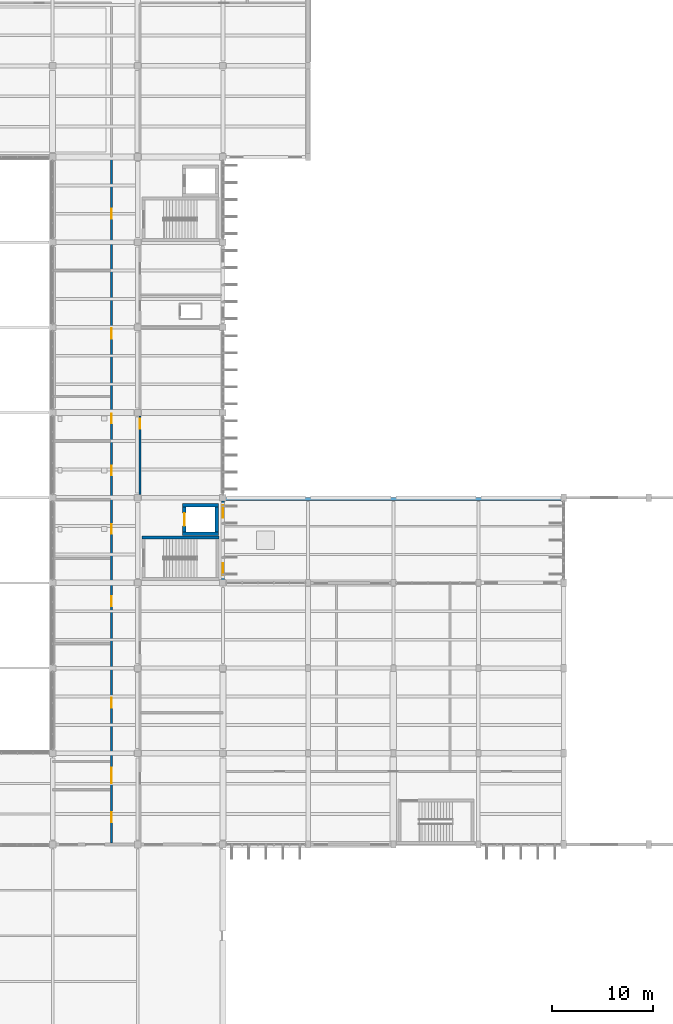
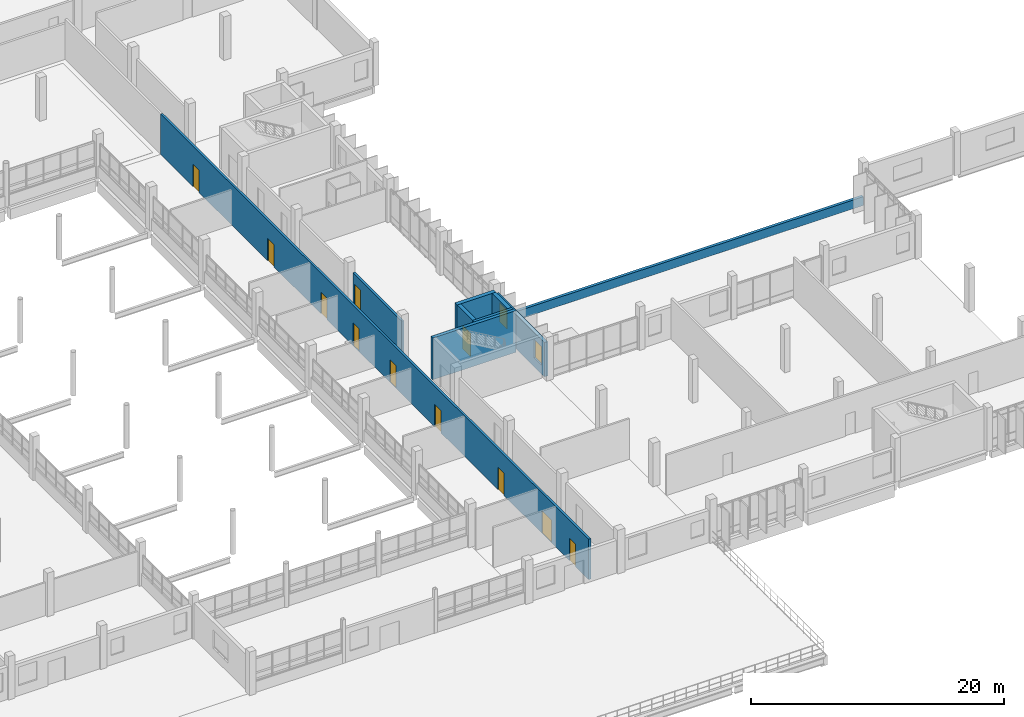
# One storey, part 87 of 101: 11 doors, 9 walls, 2 windows, 13 openings.
"""IFC4 building model written with IfcOpenShell, lengths in metres."""

from ifc_helpers import new_model, si_unit, direction, frame, frame_2d, origin, place, context, subcontext, project, spatial, rectangle, extrude, material, layer, layer_set, type_object, element, fill, save


model = new_model("IFC4")

# Units and contexts
model_context = context("Model", 3, precision=1e-05, world=origin(), true_north=direction((0.0, 1.0)))
body_context = subcontext(model_context, "Body", "Model", "MODEL_VIEW")
ifc_project = project(units=[si_unit("LENGTHUNIT", "METRE"), si_unit("AREAUNIT", "SQUARE_METRE"), si_unit("VOLUMEUNIT", "CUBIC_METRE"), si_unit("PLANEANGLEUNIT", "RADIAN"), si_unit("MASSUNIT", "GRAM", prefix="KILO")], contexts=[model_context])

# Site, building, storey
site_placement = place(None, origin())
site = spatial("IfcSite", under=ifc_project, at=site_placement, CompositionType="ELEMENT")
building_placement = place(site_placement, origin())
building = spatial("IfcBuilding", under=site, at=building_placement, Name="Vireocrest Preparatory School", CompositionType="ELEMENT")
storey_placement = place(building_placement, frame((0.0, 0.0, 4.800048828125)))
storey = spatial("IfcBuildingStorey", under=building, at=storey_placement, Name="L01", CompositionType="ELEMENT", Elevation=4.800048828125)

# Wall, openings, doors
ifc_material_1 = material(Name="Gypsum board on cold-formed steel studs", Category="steel")
ifc_layer_1 = layer(ifc_material_1, 0.199951171875)
ifc_layer_set_1 = layer_set([ifc_layer_1], Name="Gypsum board on cold-formed steel studs")
wall_type_1 = type_object("IfcWallType", Name="Corridor One-Hour Fire Partition 200", PredefinedType="PARTITIONING", material=ifc_layer_set_1)
wall_1_placement = place(storey_placement, frame((98.199951171875, 18.1650390625, 0.0), z_axis=(0.0, 0.0, 1.0), x_axis=(0.0, 1.0, 0.0)))
wall_1 = element("IfcWall", 1, at=wall_1_placement, inside=storey, type_object=wall_type_1, Name="Interior Partition W06 IW_L01_0175", PredefinedType="PARTITIONING", context=body_context, shape_type="SweptSolid", body=[
    extrude(rectangle(XDim=67.625, YDim=0.199951171875, at=frame_2d((33.8125, 0.0))), origin(), (0.0, 0.0, 1.0), 3.89990234375),
])
opening_1_placement = place(wall_1_placement, frame((2.034912109375, 0.0, 0.0)))
opening_1 = element("IfcOpeningElement", 2, at=opening_1_placement, cuts=wall_1, Name="Opening D-L01-E1W01", PredefinedType="OPENING", context=body_context, shape_type="SweptSolid", body=[
    extrude(rectangle(XDim=1.0, YDim=2.14990234375, at=frame_2d((0.5, 1.074951171875))), frame((0.0, 0.10986328125, 0.0), z_axis=(0.0, -1.0, 0.0), x_axis=(1.0, 0.0, 0.0)), (0.0, 0.0, 1.0), 0.219970703125),
])
opening_2_placement = place(wall_1_placement, frame((5.885009765625, 0.0, 0.0)))
opening_2 = element("IfcOpeningElement", 3, at=opening_2_placement, cuts=wall_1, Name="Opening D-L01-E1W02", PredefinedType="OPENING", context=body_context, shape_type="SweptSolid", body=[
    extrude(rectangle(XDim=1.5, YDim=2.199951171875, at=frame_2d((0.75, 1.10009765625))), frame((0.0, 0.10986328125, 0.0), z_axis=(0.0, -1.0, 0.0), x_axis=(1.0, 0.0, 0.0)), (0.0, 0.0, 1.0), 0.219970703125),
])
opening_3_placement = place(wall_1_placement, frame((13.3349609375, 0.0, 0.0)))
opening_3 = element("IfcOpeningElement", 4, at=opening_3_placement, cuts=wall_1, Name="Opening D-L01-E1W03", PredefinedType="OPENING", context=body_context, shape_type="SweptSolid", body=[
    extrude(rectangle(XDim=1.0, YDim=2.14990234375, at=frame_2d((0.5, 1.074951171875))), frame((0.0, 0.10986328125, 0.0), z_axis=(0.0, -1.0, 0.0), x_axis=(1.0, 0.0, 0.0)), (0.0, 0.0, 1.0), 0.219970703125),
])
opening_4_placement = place(wall_1_placement, frame((23.3349609375, 0.0, 0.0)))
opening_4 = element("IfcOpeningElement", 5, at=opening_4_placement, cuts=wall_1, Name="Opening D-L01-E1W04", PredefinedType="OPENING", context=body_context, shape_type="SweptSolid", body=[
    extrude(rectangle(XDim=1.0, YDim=2.14990234375, at=frame_2d((0.5, 1.074951171875))), frame((0.0, 0.10986328125, 0.0), z_axis=(0.0, -1.0, 0.0), x_axis=(1.0, 0.0, 0.0)), (0.0, 0.0, 1.0), 0.219970703125),
])
opening_5_placement = place(wall_1_placement, frame((30.4599609375, 0.0, 0.0)))
opening_5 = element("IfcOpeningElement", 6, at=opening_5_placement, cuts=wall_1, Name="Opening D-L01-E1W05", PredefinedType="OPENING", context=body_context, shape_type="SweptSolid", body=[
    extrude(rectangle(XDim=0.949951171875, YDim=2.199951171875, at=frame_2d((0.47509765625, 1.10009765625))), frame((0.0, 0.10986328125, 0.0), z_axis=(0.0, -1.0, 0.0), x_axis=(1.0, 0.0, 0.0)), (0.0, 0.0, 1.0), 0.219970703125),
])
opening_6_placement = place(wall_1_placement, frame((36.260009765625, 0.0, 0.0)))
opening_6 = element("IfcOpeningElement", 7, at=opening_6_placement, cuts=wall_1, Name="Opening D-L01-E1W06", PredefinedType="OPENING", context=body_context, shape_type="SweptSolid", body=[
    extrude(rectangle(XDim=0.949951171875, YDim=2.199951171875, at=frame_2d((0.47509765625, 1.10009765625))), frame((0.0, 0.10986328125, 0.0), z_axis=(0.0, -1.0, 0.0), x_axis=(1.0, 0.0, 0.0)), (0.0, 0.0, 1.0), 0.219970703125),
])
opening_7_placement = place(wall_1_placement, frame((41.360107421875, 0.0, 0.0)))
opening_7 = element("IfcOpeningElement", 8, at=opening_7_placement, cuts=wall_1, Name="Opening D-L01-E1W07", PredefinedType="OPENING", context=body_context, shape_type="SweptSolid", body=[
    extrude(rectangle(XDim=0.949951171875, YDim=2.10009765625, at=frame_2d((0.47509765625, 1.050048828125))), frame((0.0, 0.10986328125, 0.0), z_axis=(0.0, -1.0, 0.0), x_axis=(1.0, 0.0, 0.0)), (0.0, 0.0, 1.0), 0.219970703125),
])
opening_8_placement = place(wall_1_placement, frame((49.735107421875, 0.0, 0.0)))
opening_8 = element("IfcOpeningElement", 9, at=opening_8_placement, cuts=wall_1, Name="Opening D-L01-E1W08", PredefinedType="OPENING", context=body_context, shape_type="SweptSolid", body=[
    extrude(rectangle(XDim=1.0, YDim=2.14990234375, at=frame_2d((0.5, 1.074951171875))), frame((0.0, 0.10986328125, 0.0), z_axis=(0.0, -1.0, 0.0), x_axis=(1.0, 0.0, 0.0)), (0.0, 0.0, 1.0), 0.219970703125),
])
opening_9_placement = place(wall_1_placement, frame((61.534912109375, 0.0, 0.0)))
opening_9 = element("IfcOpeningElement", 10, at=opening_9_placement, cuts=wall_1, Name="Opening D-L01-E1W09", PredefinedType="OPENING", context=body_context, shape_type="SweptSolid", body=[
    extrude(rectangle(XDim=1.0, YDim=2.14990234375, at=frame_2d((0.5, 1.074951171875))), frame((0.0, 0.10986328125, 0.0), z_axis=(0.0, -1.0, 0.0), x_axis=(1.0, 0.0, 0.0)), (0.0, 0.0, 1.0), 0.219970703125),
])
ifc_material_2 = material(Name="Solid-core architectural birch timber", Category="wood")
door_type_1 = type_object("IfcDoorType", Name="Accessible WC Timber Door 950x2100", OperationType="NOTDEFINED", PredefinedType="DOOR", material=ifc_material_2)
door_1_placement = place(opening_7_placement, origin())
door_1 = element("IfcDoor", 11, at=door_1_placement, inside=storey, type_object=door_type_1, Name="Interior Door D-L01-E1W07", OperationType="SINGLE_SWING_LEFT", OverallHeight=2.10009765625, OverallWidth=0.949951171875, PredefinedType="DOOR", context=body_context, shape_type="SweptSolid", body=[
    extrude(rectangle(XDim=0.949951171875, YDim=2.10009765625, at=frame_2d((0.47509765625, 1.050048828125))), frame((0.0, 0.02490234375, 0.0), z_axis=(0.0, -1.0, 0.0), x_axis=(1.0, 0.0, 0.0)), (0.0, 0.0, 1.0), 0.050048828125),
])
fill(opening_7, door_1)
door_type_2 = type_object("IfcDoorType", Name="Classroom Acoustic Timber Door 1000x2150", OperationType="NOTDEFINED", PredefinedType="DOOR", material=ifc_material_2)
door_2_placement = place(opening_1_placement, origin())
door_2 = element("IfcDoor", 12, at=door_2_placement, inside=storey, type_object=door_type_2, Name="Interior Door D-L01-E1W01", OperationType="SINGLE_SWING_RIGHT", OverallHeight=2.14990234375, OverallWidth=1.0, PredefinedType="DOOR", context=body_context, shape_type="SweptSolid", body=[
    extrude(rectangle(XDim=1.0, YDim=2.14990234375, at=frame_2d((0.5, 1.074951171875))), frame((0.0, 0.02490234375, 0.0), z_axis=(0.0, -1.0, 0.0), x_axis=(1.0, 0.0, 0.0)), (0.0, 0.0, 1.0), 0.050048828125),
])
fill(opening_1, door_2)
door_3_placement = place(opening_3_placement, origin())
door_3 = element("IfcDoor", 13, at=door_3_placement, inside=storey, type_object=door_type_2, Name="Interior Door D-L01-E1W03", OperationType="SINGLE_SWING_LEFT", OverallHeight=2.14990234375, OverallWidth=1.0, PredefinedType="DOOR", context=body_context, shape_type="SweptSolid", body=[
    extrude(rectangle(XDim=1.0, YDim=2.14990234375, at=frame_2d((0.5, 1.074951171875))), frame((0.0, 0.02490234375, 0.0), z_axis=(0.0, -1.0, 0.0), x_axis=(1.0, 0.0, 0.0)), (0.0, 0.0, 1.0), 0.050048828125),
])
fill(opening_3, door_3)
door_4_placement = place(opening_4_placement, origin())
door_4 = element("IfcDoor", 14, at=door_4_placement, inside=storey, type_object=door_type_2, Name="Interior Door D-L01-E1W04", OperationType="SINGLE_SWING_RIGHT", OverallHeight=2.14990234375, OverallWidth=1.0, PredefinedType="DOOR", context=body_context, shape_type="SweptSolid", body=[
    extrude(rectangle(XDim=1.0, YDim=2.14990234375, at=frame_2d((0.5, 1.074951171875))), frame((0.0, 0.02490234375, 0.0), z_axis=(0.0, -1.0, 0.0), x_axis=(1.0, 0.0, 0.0)), (0.0, 0.0, 1.0), 0.050048828125),
])
fill(opening_4, door_4)
door_5_placement = place(opening_8_placement, origin())
door_5 = element("IfcDoor", 15, at=door_5_placement, inside=storey, type_object=door_type_2, Name="Interior Door D-L01-E1W08", OperationType="SINGLE_SWING_RIGHT", OverallHeight=2.14990234375, OverallWidth=1.0, PredefinedType="DOOR", context=body_context, shape_type="SweptSolid", body=[
    extrude(rectangle(XDim=1.0, YDim=2.14990234375, at=frame_2d((0.5, 1.074951171875))), frame((0.0, 0.02490234375, 0.0), z_axis=(0.0, -1.0, 0.0), x_axis=(1.0, 0.0, 0.0)), (0.0, 0.0, 1.0), 0.050048828125),
])
fill(opening_8, door_5)
door_6_placement = place(opening_9_placement, origin())
door_6 = element("IfcDoor", 16, at=door_6_placement, inside=storey, type_object=door_type_2, Name="Interior Door D-L01-E1W09", OperationType="SINGLE_SWING_LEFT", OverallHeight=2.14990234375, OverallWidth=1.0, PredefinedType="DOOR", context=body_context, shape_type="SweptSolid", body=[
    extrude(rectangle(XDim=1.0, YDim=2.14990234375, at=frame_2d((0.5, 1.074951171875))), frame((0.0, 0.02490234375, 0.0), z_axis=(0.0, -1.0, 0.0), x_axis=(1.0, 0.0, 0.0)), (0.0, 0.0, 1.0), 0.050048828125),
])
fill(opening_9, door_6)
ifc_material_3 = material(Name="Painted galvanized hollow steel", Category="steel")
door_type_3 = type_object("IfcDoorType", Name="Stair Enclosure Fire Door 1500x2200", OperationType="DOUBLE_DOOR_SINGLE_SWING", PredefinedType="DOOR", material=ifc_material_3)
door_7_placement = place(opening_2_placement, origin())
door_7 = element("IfcDoor", 17, at=door_7_placement, inside=storey, type_object=door_type_3, Name="Interior Door D-L01-E1W02", OperationType="DOUBLE_DOOR_SINGLE_SWING", OverallHeight=2.199951171875, OverallWidth=1.5, PredefinedType="DOOR", context=body_context, shape_type="SweptSolid", body=[
    extrude(rectangle(XDim=1.5, YDim=2.199951171875, at=frame_2d((0.75, 1.10009765625))), frame((0.0, 0.02490234375, 0.0), z_axis=(0.0, -1.0, 0.0), x_axis=(1.0, 0.0, 0.0)), (0.0, 0.0, 1.0), 0.050048828125),
])
fill(opening_2, door_7)
door_type_4 = type_object("IfcDoorType", Name="Student Washroom Door 950x2200", OperationType="NOTDEFINED", PredefinedType="DOOR", material=ifc_material_2)
door_8_placement = place(opening_5_placement, origin())
door_8 = element("IfcDoor", 18, at=door_8_placement, inside=storey, type_object=door_type_4, Name="Interior Door D-L01-E1W05", OperationType="SINGLE_SWING_LEFT", OverallHeight=2.199951171875, OverallWidth=0.949951171875, PredefinedType="DOOR", context=body_context, shape_type="SweptSolid", body=[
    extrude(rectangle(XDim=0.949951171875, YDim=2.199951171875, at=frame_2d((0.47509765625, 1.10009765625))), frame((0.0, 0.02490234375, 0.0), z_axis=(0.0, -1.0, 0.0), x_axis=(1.0, 0.0, 0.0)), (0.0, 0.0, 1.0), 0.050048828125),
])
fill(opening_5, door_8)
door_9_placement = place(opening_6_placement, origin())
door_9 = element("IfcDoor", 19, at=door_9_placement, inside=storey, type_object=door_type_4, Name="Interior Door D-L01-E1W06", OperationType="SINGLE_SWING_RIGHT", OverallHeight=2.199951171875, OverallWidth=0.949951171875, PredefinedType="DOOR", context=body_context, shape_type="SweptSolid", body=[
    extrude(rectangle(XDim=0.949951171875, YDim=2.199951171875, at=frame_2d((0.47509765625, 1.10009765625))), frame((0.0, 0.02490234375, 0.0), z_axis=(0.0, -1.0, 0.0), x_axis=(1.0, 0.0, 0.0)), (0.0, 0.0, 1.0), 0.050048828125),
])
fill(opening_6, door_9)

# Wall, opening, door
wall_2_placement = place(storey_placement, frame((101.0, 52.534912109375, 0.0), z_axis=(0.0, 0.0, 1.0), x_axis=(0.0, 1.0, 0.0)))
wall_2 = element("IfcWall", 20, at=wall_2_placement, inside=storey, type_object=wall_type_1, Name="Interior Partition W06 IW_L01_0182", PredefinedType="PARTITIONING", context=body_context, shape_type="SweptSolid", body=[
    extrude(rectangle(XDim=7.72998046875, YDim=0.199951171875, at=frame_2d((3.864990234375, 0.0))), origin(), (0.0, 0.0, 1.0), 3.099853515625),
])
opening_10_placement = place(wall_2_placement, frame((6.47998046875, 0.0, 0.0)))
opening_10 = element("IfcOpeningElement", 21, at=opening_10_placement, cuts=wall_2, Name="Opening D-L01-E1EN01", PredefinedType="OPENING", context=body_context, shape_type="SweptSolid", body=[
    extrude(rectangle(XDim=1.0, YDim=2.14990234375, at=frame_2d((0.5, 1.074951171875))), frame((0.0, 0.10986328125, 0.0), z_axis=(0.0, -1.0, 0.0), x_axis=(1.0, 0.0, 0.0)), (0.0, 0.0, 1.0), 0.219970703125),
])
door_10_placement = place(opening_10_placement, origin())
door_10 = element("IfcDoor", 22, at=door_10_placement, inside=storey, type_object=door_type_2, Name="Interior Door D-L01-E1EN01", OperationType="SINGLE_SWING_RIGHT", OverallHeight=2.14990234375, OverallWidth=1.0, PredefinedType="DOOR", context=body_context, shape_type="SweptSolid", body=[
    extrude(rectangle(XDim=1.0, YDim=2.14990234375, at=frame_2d((0.5, 1.074951171875))), frame((0.0, 0.02490234375, 0.0), z_axis=(0.0, -1.0, 0.0), x_axis=(1.0, 0.0, 0.0)), (0.0, 0.0, 1.0), 0.050048828125),
])
fill(opening_10, door_10)

# Wall, openings, windows
ifc_material_4 = material(Name="Precast white concrete 40 MPa", Category="concrete")
ifc_layer_2 = layer(ifc_material_4, 0.320068359375)
ifc_layer_set_2 = layer_set([ifc_layer_2], Name="Precast white concrete 40 MPa")
wall_type_2 = type_object("IfcWallType", Name="High-Tech Insulated Rainscreen External Wall 320", PredefinedType="SOLIDWALL", material=ifc_layer_set_2)
wall_3_placement = place(storey_placement, frame((109.199951171875, 44.10009765625, 0.0), z_axis=(0.0, 0.0, 1.0), x_axis=(0.0, 1.0, 0.0)))
wall_3 = element("IfcWall", 23, at=wall_3_placement, inside=storey, type_object=wall_type_2, Name="External Wall W12 EW_L01_0156", PredefinedType="SOLIDWALL", context=body_context, shape_type="SweptSolid", body=[
    extrude(rectangle(XDim=7.7998046875, YDim=0.320068359375, at=frame_2d((3.89990234375, 0.0))), origin(), (0.0, 0.0, 1.0), 3.300048828125),
])
opening_11_placement = place(wall_3_placement, frame((0.449951171875, 0.0, 0.85009765625)))
opening_11 = element("IfcOpeningElement", 24, at=opening_11_placement, cuts=wall_3, Name="Opening WN02", PredefinedType="OPENING", context=body_context, shape_type="SweptSolid", body=[
    extrude(rectangle(XDim=1.199951171875, YDim=1.800048828125, at=frame_2d((0.60009765625, 0.89990234375))), frame((0.0, 0.169921875, 0.0), z_axis=(0.0, -1.0, 0.0), x_axis=(1.0, 0.0, 0.0)), (0.0, 0.0, 1.0), 0.340087890625),
])
opening_12_placement = place(wall_3_placement, frame((6.14990234375, 0.0, 0.85009765625)))
opening_12 = element("IfcOpeningElement", 25, at=opening_12_placement, cuts=wall_3, Name="Opening WN02", PredefinedType="OPENING", context=body_context, shape_type="SweptSolid", body=[
    extrude(rectangle(XDim=1.199951171875, YDim=1.800048828125, at=frame_2d((0.60009765625, 0.89990234375))), frame((0.0, 0.169921875, 0.0), z_axis=(0.0, -1.0, 0.0), x_axis=(1.0, 0.0, 0.0)), (0.0, 0.0, 1.0), 0.340087890625),
])
ifc_material_5 = material(Name="Thermally broken aluminium EN AW-6063-T6", Category="aluminium")
window_type = type_object("IfcWindowType", Name="Counseling Window 1200x1800", PartitioningType="SINGLE_PANEL", PredefinedType="WINDOW", material=ifc_material_5)
window_1_placement = place(opening_11_placement, origin())
window_1 = element("IfcWindow", 26, at=window_1_placement, inside=storey, type_object=window_type, Name="Window W-L01-056 (WN02)", OverallHeight=1.800048828125, OverallWidth=1.199951171875, PartitioningType="SINGLE_PANEL", PredefinedType="WINDOW", context=body_context, shape_type="SweptSolid", body=[
    extrude(rectangle(XDim=1.199951171875, YDim=1.800048828125, at=frame_2d((0.60009765625, 0.89990234375))), frame((0.0, 0.030029296875, 0.0), z_axis=(0.0, -1.0, 0.0), x_axis=(1.0, 0.0, 0.0)), (0.0, 0.0, 1.0), 0.06005859375),
])
fill(opening_11, window_1)
window_2_placement = place(opening_12_placement, origin())
window_2 = element("IfcWindow", 27, at=window_2_placement, inside=storey, type_object=window_type, Name="Window W-L01-057 (WN02)", OverallHeight=1.800048828125, OverallWidth=1.199951171875, PartitioningType="SINGLE_PANEL", PredefinedType="WINDOW", context=body_context, shape_type="SweptSolid", body=[
    extrude(rectangle(XDim=1.199951171875, YDim=1.800048828125, at=frame_2d((0.60009765625, 0.89990234375))), frame((0.0, 0.030029296875, 0.0), z_axis=(0.0, -1.0, 0.0), x_axis=(1.0, 0.0, 0.0)), (0.0, 0.0, 1.0), 0.06005859375),
])
fill(opening_12, window_2)

# Walls
ifc_layer_3 = layer(ifc_material_4, 0.260009765625)
ifc_layer_set_3 = layer_set([ifc_layer_3], Name="Precast white concrete 40 MPa")
wall_type_3 = type_object("IfcWallType", Name="Insulated Roof Parapet Wall 260", PredefinedType="PARAPET", material=ifc_layer_set_3)
wall_4_placement = place(storey_placement, frame((109.330078125, 52.070068359375, 0.0), z_axis=(0.0, 0.0, 1.0), x_axis=(1.0, 0.0, 0.0)))
element("IfcWall", 28, at=wall_4_placement, inside=storey, type_object=wall_type_3, Name="Roof Parapet W09 L01_EAST_LINK_ROOF_N-1", PredefinedType="PARAPET", context=body_context, shape_type="SweptSolid", body=[
    extrude(rectangle(XDim=33.33984375, YDim=0.260009765625, at=frame_2d((16.669921875, 0.0))), origin(), (0.0, 0.0, 1.0), 0.849853515625),
])
ifc_material_6 = material(Name="Concrete 45 MPa", Category="concrete")
ifc_layer_4 = layer(ifc_material_6, 0.35009765625)
ifc_layer_set_4 = layer_set([ifc_layer_4], Name="Concrete 45 MPa")
wall_type_4 = type_object("IfcWallType", Name="Two-Hour RC Lift Core Shear Wall 350", PredefinedType="SHEAR", material=ifc_layer_set_4)
for number, where, z_axis, x_axis, name in (
    (29, (105.22509765625, 48.64990234375, 0.0), (0.0, 0.0, 1.0), (1.0, 0.0, 0.0), "Lift Core Shear Wall LF2 L01-S"),
    (30, (105.22509765625, 51.449951171875, 0.0), (0.0, 0.0, 1.0), (1.0, 0.0, 0.0), "Lift Core Shear Wall LF2 L01-N"),
):
    element("IfcWall", number, at=place(storey_placement, frame(where, z_axis=z_axis, x_axis=x_axis)), inside=storey, type_object=wall_type_4, Name=name, PredefinedType="SHEAR", context=body_context, shape_type="SweptSolid", body=[
        extrude(rectangle(XDim=3.5498046875, YDim=0.35009765625, at=frame_2d((1.77490234375, 0.0))), origin(), (0.0, 0.0, 1.0), 3.919921875),
    ])

# Wall, opening, door
wall_5_placement = place(storey_placement, frame((105.39990234375, 48.824951171875, 0.0), z_axis=(0.0, 0.0, 1.0), x_axis=(0.0, 1.0, 0.0)))
wall_5 = element("IfcWall", 31, at=wall_5_placement, inside=storey, type_object=wall_type_4, Name="Lift Core Shear Wall LF2 L01-W", PredefinedType="SHEAR", context=body_context, shape_type="SweptSolid", body=[
    extrude(rectangle(XDim=2.449951171875, YDim=0.35009765625, at=frame_2d((1.22509765625, 0.0))), origin(), (0.0, 0.0, 1.0), 3.919921875),
])
opening_13_placement = place(wall_5_placement, frame((0.60009765625, 0.0, 0.0)))
opening_13 = element("IfcOpeningElement", 32, at=opening_13_placement, cuts=wall_5, Name="Opening LD-LF2-L01", PredefinedType="OPENING", context=body_context, shape_type="SweptSolid", body=[
    extrude(rectangle(XDim=1.25, YDim=2.25, at=frame_2d((0.625, 1.125))), frame((0.0, 0.18505859375, 0.0), z_axis=(0.0, -1.0, 0.0), x_axis=(1.0, 0.0, 0.0)), (0.0, 0.0, 1.0), 0.3701171875),
])
door_type_5 = type_object("IfcDoorType", Name="Stretcher Lift Landing Sliding Door 1250x2250", OperationType="DOUBLE_DOOR_SLIDING", PredefinedType="DOOR", material=ifc_material_3)
door_11_placement = place(opening_13_placement, origin())
door_11 = element("IfcDoor", 33, at=door_11_placement, inside=storey, type_object=door_type_5, Name="Lift Landing Door LD-LF2-L01", OperationType="DOUBLE_DOOR_SLIDING", OverallHeight=2.25, OverallWidth=1.25, PredefinedType="DOOR", context=body_context, shape_type="SweptSolid", body=[
    extrude(rectangle(XDim=1.25, YDim=2.25, at=frame_2d((0.625, 1.125))), frame((0.0, 0.02490234375, 0.0), z_axis=(0.0, -1.0, 0.0), x_axis=(1.0, 0.0, 0.0)), (0.0, 0.0, 1.0), 0.050048828125),
])
fill(opening_13, door_11)

# Walls
wall_6_placement = place(storey_placement, frame((108.60009765625, 48.824951171875, 0.0), z_axis=(0.0, 0.0, 1.0), x_axis=(0.0, 1.0, 0.0)))
element("IfcWall", 34, at=wall_6_placement, inside=storey, type_object=wall_type_4, Name="Lift Core Shear Wall LF2 L01-E", PredefinedType="SHEAR", context=body_context, shape_type="SweptSolid", body=[
    extrude(rectangle(XDim=2.449951171875, YDim=0.35009765625, at=frame_2d((1.22509765625, 0.0))), origin(), (0.0, 0.0, 1.0), 3.919921875),
])
ifc_layer_5 = layer(ifc_material_6, 0.300048828125)
ifc_layer_set_5 = layer_set([ifc_layer_5], Name="Concrete 45 MPa")
wall_type_5 = type_object("IfcWallType", Name="Two-Hour RC Stair Shaft Shear Wall 300", PredefinedType="SHEAR", material=ifc_layer_set_5)
wall_7_placement = place(storey_placement, frame((101.199951171875, 48.300048828125, 0.0), z_axis=(0.0, 0.0, 1.0), x_axis=(1.0, 0.0, 0.0)))
element("IfcWall", 35, at=wall_7_placement, inside=storey, type_object=wall_type_5, Name="Stair Core Shear Wall ST2 L01-N", PredefinedType="SHEAR", context=body_context, shape_type="SweptSolid", body=[
    extrude(rectangle(XDim=7.60009765625, YDim=0.300048828125, at=frame_2d((3.800048828125, 0.0))), origin(), (0.0, 0.0, 1.0), 4.02490234375),
])

save(model, "model.ifc")
